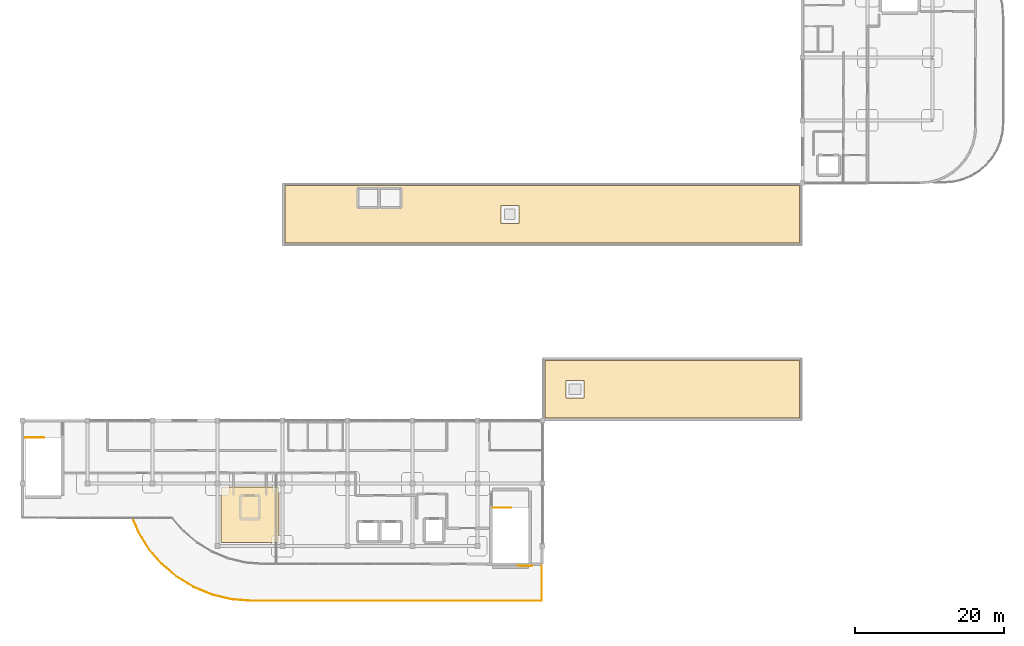
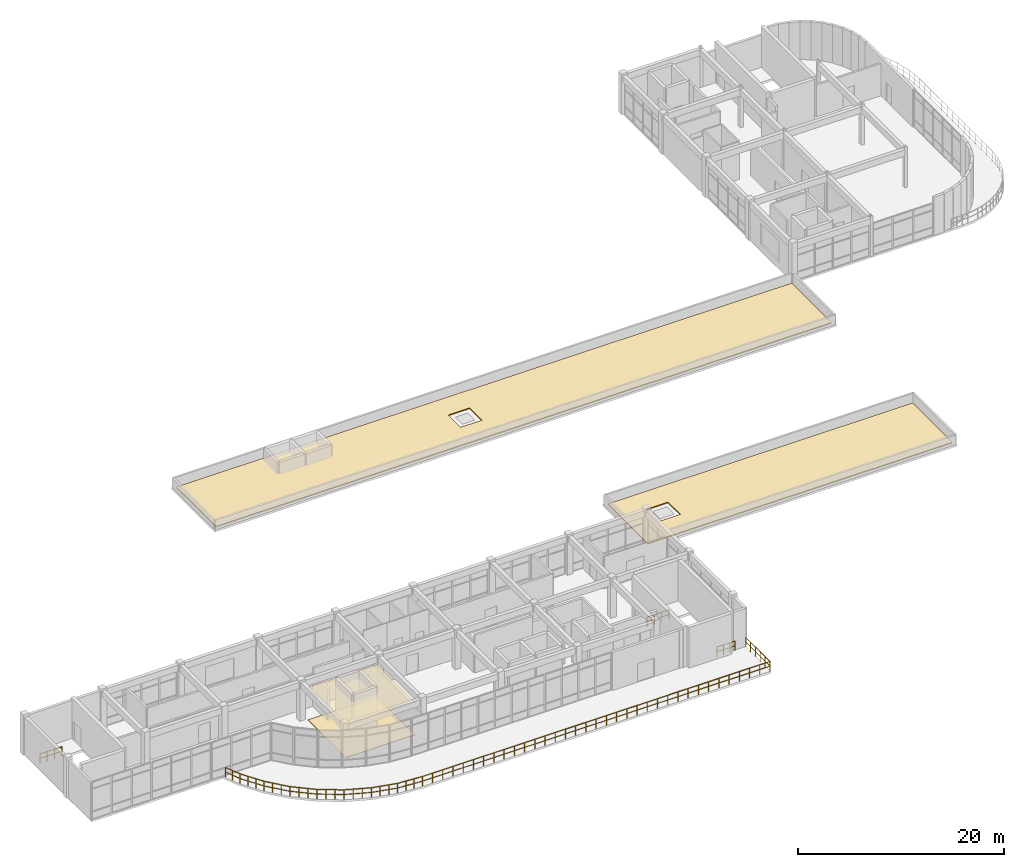
# One storey, part 40 of 41: 5 railings, 4 coverings.
"""IFC4 building model written with IfcOpenShell, lengths in metres."""

from ifc_helpers import new_model, si_unit, derived_unit, direction, frame, origin, origin_2d, place, context, subcontext, project, spatial, polyline, circle, outline, extrude, material, layer, layer_set, type_object, element, save


model = new_model("IFC4")

# Units and contexts
model_context = context("Model", 3, precision=1e-05, world=origin(), true_north=direction((0.0, 1.0)))
body_context = subcontext(model_context, "Body", "Model", "MODEL_VIEW")
ifc_project = project(units=[si_unit("LENGTHUNIT", "METRE"), si_unit("AREAUNIT", "SQUARE_METRE"), si_unit("VOLUMEUNIT", "CUBIC_METRE"), si_unit("PLANEANGLEUNIT", "RADIAN"), si_unit("MASSUNIT", "GRAM", prefix="KILO"), derived_unit("THERMALTRANSMITTANCEUNIT", [(si_unit("MASSUNIT", "GRAM", prefix="KILO"), 1), (si_unit("TIMEUNIT", "SECOND"), -3), (si_unit("THERMODYNAMICTEMPERATUREUNIT", "KELVIN"), -1)])], contexts=[model_context])

# Site, building, storey
site_placement = place(None, origin())
site = spatial("IfcSite", under=ifc_project, at=site_placement, CompositionType="ELEMENT")
building_placement = place(site_placement, origin())
building = spatial("IfcBuilding", under=site, at=building_placement, Name="Qinzheling Arcade Emporium", CompositionType="ELEMENT")
storey_placement = place(building_placement, frame((0.0, 0.0, 36.300048828125)))
storey = spatial("IfcBuildingStorey", under=building, at=storey_placement, Name="L08", CompositionType="ELEMENT", Elevation=36.300048828125)

# Railings
ifc_material_1 = material(Name="Architectural bronze rail and laminated safety glass", Category="glass")
railing_type_1 = type_object("IfcRailingType", Name="Curved Terrace Laminated Glass and Bronze Balustrade 1150", PredefinedType="BALUSTRADE", material=ifc_material_1)
railing_1_placement = place(storey_placement, frame((69.52001953125, 17.8798828125, 0.0)))
element("IfcRailing", 1, at=railing_1_placement, inside=storey, type_object=railing_type_1, Name="Terrace Balustrade RLG-TER-L08-020", PredefinedType="BALUSTRADE", context=body_context, shape_type="SweptSolid", body=[
    extrude(circle(Radius=0.02392578125, at=origin_2d()), frame((0.0, 0.0, 1.1259765625), z_axis=(-1.0, 0.0, 0.0), x_axis=(0.0, -1.0, 0.0)), (0.0, 0.0, 1.0), 38.9169921875),
    extrude(circle(Radius=0.01611328125, at=origin_2d()), frame((0.0, 0.0, 0.574951171875), z_axis=(-1.0, 0.0, 0.0), x_axis=(0.0, -1.0, 0.0)), (0.0, 0.0, 1.0), 38.9169921875),
    extrude(circle(Radius=0.02392578125, at=origin_2d()), frame((-38.9169921875, 0.0, 1.1259765625), z_axis=(-0.99693107057, 0.078284356878, 0.0), x_axis=(-0.078284356878, -0.99693107057, 0.0)), (0.0, 0.0, 1.0), 2.656982421875),
    extrude(circle(Radius=0.01611328125, at=origin_2d()), frame((-38.9169921875, 0.0, 0.574951171875), z_axis=(-0.99693107057, 0.078284356878, 0.0), x_axis=(-0.078284356878, -0.99693107057, 0.0)), (0.0, 0.0, 1.0), 2.656982421875),
    extrude(circle(Radius=0.02392578125, at=origin_2d()), frame((-41.56591796875, 0.2080078125, 1.1259765625), z_axis=(-0.97235056984, 0.233525950018, 0.0), x_axis=(-0.233525950018, -0.97235056984, 0.0)), (0.0, 0.0, 1.0), 2.655517578125),
    extrude(circle(Radius=0.01611328125, at=origin_2d()), frame((-41.56591796875, 0.2080078125, 0.574951171875), z_axis=(-0.97235056984, 0.233525950018, 0.0), x_axis=(-0.233525950018, -0.97235056984, 0.0)), (0.0, 0.0, 1.0), 2.655517578125),
    extrude(circle(Radius=0.02392578125, at=origin_2d()), frame((-44.14794921875, 0.828125, 1.1259765625), z_axis=(-0.923933946858, 0.382552038084, 0.0), x_axis=(-0.382552038084, -0.923933946858, 0.0)), (0.0, 0.0, 1.0), 2.65625),
    extrude(circle(Radius=0.01611328125, at=origin_2d()), frame((-44.14794921875, 0.828125, 0.574951171875), z_axis=(-0.923933946858, 0.382552038084, 0.0), x_axis=(-0.382552038084, -0.923933946858, 0.0)), (0.0, 0.0, 1.0), 2.65625),
    extrude(circle(Radius=0.02392578125, at=origin_2d()), frame((-46.60205078125, 1.84423828125, 1.1259765625), z_axis=(-0.852437312571, 0.522829444596, 0.0), x_axis=(-0.522829444596, -0.852437312571, 0.0)), (0.0, 0.0, 1.0), 2.65478515625),
    extrude(circle(Radius=0.01611328125, at=origin_2d()), frame((-46.60205078125, 1.84423828125, 0.574951171875), z_axis=(-0.852437312571, 0.522829444596, 0.0), x_axis=(-0.522829444596, -0.852437312571, 0.0)), (0.0, 0.0, 1.0), 2.65478515625),
    extrude(circle(Radius=0.02392578125, at=origin_2d()), frame((-48.864990234375, 3.232177734375, 1.1259765625), z_axis=(-0.760508013314, 0.649328546797, 0.0), x_axis=(-0.649328546797, -0.760508013314, 0.0)), (0.0, 0.0, 1.0), 2.65478515625),
    extrude(circle(Radius=0.01611328125, at=origin_2d()), frame((-48.864990234375, 3.232177734375, 0.574951171875), z_axis=(-0.760508013314, 0.649328546797, 0.0), x_axis=(-0.649328546797, -0.760508013314, 0.0)), (0.0, 0.0, 1.0), 2.65478515625),
    extrude(circle(Radius=0.02392578125, at=origin_2d()), frame((-50.884033203125, 4.9560546875, 1.1259765625), z_axis=(-0.649328546797, 0.760508013314, 0.0), x_axis=(-0.760508013314, -0.649328546797, 0.0)), (0.0, 0.0, 1.0), 2.65478515625),
    extrude(circle(Radius=0.01611328125, at=origin_2d()), frame((-50.884033203125, 4.9560546875, 0.574951171875), z_axis=(-0.649328546797, 0.760508013314, 0.0), x_axis=(-0.760508013314, -0.649328546797, 0.0)), (0.0, 0.0, 1.0), 2.65478515625),
    extrude(circle(Radius=0.02392578125, at=origin_2d()), frame((-52.60791015625, 6.97509765625, 1.1259765625), z_axis=(-0.522628919058, 0.852560269403, 0.0), x_axis=(-0.852560269403, -0.522628919058, 0.0)), (0.0, 0.0, 1.0), 2.654296875),
    extrude(circle(Radius=0.01611328125, at=origin_2d()), frame((-52.60791015625, 6.97509765625, 0.574951171875), z_axis=(-0.522628919058, 0.852560269403, 0.0), x_axis=(-0.852560269403, -0.522628919058, 0.0)), (0.0, 0.0, 1.0), 2.654296875),
    extrude(circle(Radius=0.02392578125, at=origin_2d()), frame((-53.9951171875, 9.238037109375, 1.1259765625), z_axis=(-0.382565210158, 0.923928492891, 0.0), x_axis=(-0.923928492891, -0.382565210158, 0.0)), (0.0, 0.0, 1.0), 1.784912109375),
    extrude(circle(Radius=0.01611328125, at=origin_2d()), frame((-53.9951171875, 9.238037109375, 0.574951171875), z_axis=(-0.382565210158, 0.923928492891, 0.0), x_axis=(-0.923928492891, -0.382565210158, 0.0)), (0.0, 0.0, 1.0), 1.784912109375),
    extrude(circle(Radius=0.02099609375, at=origin_2d()), origin(), (0.0, 0.0, 1.0), 1.101806640625),
    extrude(circle(Radius=0.02099609375, at=origin_2d()), frame((-1.14453125, 0.0, 0.0)), (0.0, 0.0, 1.0), 1.101806640625),
    extrude(circle(Radius=0.02099609375, at=origin_2d()), frame((-2.289306640625, 0.0, 0.0)), (0.0, 0.0, 1.0), 1.101806640625),
    extrude(circle(Radius=0.02099609375, at=origin_2d()), frame((-3.433837890625, 0.0, 0.0)), (0.0, 0.0, 1.0), 1.101806640625),
    extrude(circle(Radius=0.02099609375, at=origin_2d()), frame((-4.578369140625, 0.0, 0.0)), (0.0, 0.0, 1.0), 1.101806640625),
    extrude(circle(Radius=0.02099609375, at=origin_2d()), frame((-5.72314453125, 0.0, 0.0)), (0.0, 0.0, 1.0), 1.101806640625),
    extrude(circle(Radius=0.02099609375, at=origin_2d()), frame((-6.86767578125, 0.0, 0.0)), (0.0, 0.0, 1.0), 1.101806640625),
    extrude(circle(Radius=0.02099609375, at=origin_2d()), frame((-8.01220703125, 0.0, 0.0)), (0.0, 0.0, 1.0), 1.101806640625),
    extrude(circle(Radius=0.02099609375, at=origin_2d()), frame((-9.156982421875, 0.0, 0.0)), (0.0, 0.0, 1.0), 1.101806640625),
    extrude(circle(Radius=0.02099609375, at=origin_2d()), frame((-10.301513671875, 0.0, 0.0)), (0.0, 0.0, 1.0), 1.101806640625),
    extrude(circle(Radius=0.02099609375, at=origin_2d()), frame((-11.4462890625, 0.0, 0.0)), (0.0, 0.0, 1.0), 1.101806640625),
    extrude(circle(Radius=0.02099609375, at=origin_2d()), frame((-12.5908203125, 0.0, 0.0)), (0.0, 0.0, 1.0), 1.101806640625),
    extrude(circle(Radius=0.02099609375, at=origin_2d()), frame((-13.7353515625, 0.0, 0.0)), (0.0, 0.0, 1.0), 1.101806640625),
    extrude(circle(Radius=0.02099609375, at=origin_2d()), frame((-14.880126953125, 0.0, 0.0)), (0.0, 0.0, 1.0), 1.101806640625),
    extrude(circle(Radius=0.02099609375, at=origin_2d()), frame((-16.024658203125, 0.0, 0.0)), (0.0, 0.0, 1.0), 1.101806640625),
    extrude(circle(Radius=0.02099609375, at=origin_2d()), frame((-17.169189453125, 0.0, 0.0)), (0.0, 0.0, 1.0), 1.101806640625),
    extrude(circle(Radius=0.02099609375, at=origin_2d()), frame((-18.31396484375, 0.0, 0.0)), (0.0, 0.0, 1.0), 1.101806640625),
    extrude(circle(Radius=0.02099609375, at=origin_2d()), frame((-19.45849609375, 0.0, 0.0)), (0.0, 0.0, 1.0), 1.101806640625),
    extrude(circle(Radius=0.02099609375, at=origin_2d()), frame((-20.60302734375, 0.0, 0.0)), (0.0, 0.0, 1.0), 1.101806640625),
    extrude(circle(Radius=0.02099609375, at=origin_2d()), frame((-21.747802734375, 0.0, 0.0)), (0.0, 0.0, 1.0), 1.101806640625),
    extrude(circle(Radius=0.02099609375, at=origin_2d()), frame((-22.892333984375, 0.0, 0.0)), (0.0, 0.0, 1.0), 1.101806640625),
    extrude(circle(Radius=0.02099609375, at=origin_2d()), frame((-24.036865234375, 0.0, 0.0)), (0.0, 0.0, 1.0), 1.101806640625),
    extrude(circle(Radius=0.02099609375, at=origin_2d()), frame((-25.181640625, 0.0, 0.0)), (0.0, 0.0, 1.0), 1.101806640625),
    extrude(circle(Radius=0.02099609375, at=origin_2d()), frame((-26.326171875, 0.0, 0.0)), (0.0, 0.0, 1.0), 1.101806640625),
    extrude(circle(Radius=0.02099609375, at=origin_2d()), frame((-27.470703125, 0.0, 0.0)), (0.0, 0.0, 1.0), 1.101806640625),
    extrude(circle(Radius=0.02099609375, at=origin_2d()), frame((-28.615478515625, 0.0, 0.0)), (0.0, 0.0, 1.0), 1.101806640625),
    extrude(circle(Radius=0.02099609375, at=origin_2d()), frame((-29.760009765625, 0.0, 0.0)), (0.0, 0.0, 1.0), 1.101806640625),
    extrude(circle(Radius=0.02099609375, at=origin_2d()), frame((-30.90478515625, 0.0, 0.0)), (0.0, 0.0, 1.0), 1.101806640625),
    extrude(circle(Radius=0.02099609375, at=origin_2d()), frame((-32.04931640625, 0.0, 0.0)), (0.0, 0.0, 1.0), 1.101806640625),
    extrude(circle(Radius=0.02099609375, at=origin_2d()), frame((-33.19384765625, 0.0, 0.0)), (0.0, 0.0, 1.0), 1.101806640625),
    extrude(circle(Radius=0.02099609375, at=origin_2d()), frame((-34.338623046875, 0.0, 0.0)), (0.0, 0.0, 1.0), 1.101806640625),
    extrude(circle(Radius=0.02099609375, at=origin_2d()), frame((-35.483154296875, 0.0, 0.0)), (0.0, 0.0, 1.0), 1.101806640625),
    extrude(circle(Radius=0.02099609375, at=origin_2d()), frame((-36.627685546875, 0.0, 0.0)), (0.0, 0.0, 1.0), 1.101806640625),
    extrude(circle(Radius=0.02099609375, at=origin_2d()), frame((-37.7724609375, 0.0, 0.0)), (0.0, 0.0, 1.0), 1.101806640625),
    extrude(circle(Radius=0.02099609375, at=origin_2d()), frame((-38.9169921875, 0.0, 0.0)), (0.0, 0.0, 1.0), 1.101806640625),
    extrude(circle(Radius=0.02099609375, at=origin_2d()), frame((-39.800048828125, 0.0693359375, 0.0)), (0.0, 0.0, 1.0), 1.101806640625),
    extrude(circle(Radius=0.02099609375, at=origin_2d()), frame((-40.682861328125, 0.138671875, 0.0)), (0.0, 0.0, 1.0), 1.101806640625),
    extrude(circle(Radius=0.02099609375, at=origin_2d()), frame((-41.56591796875, 0.2080078125, 0.0)), (0.0, 0.0, 1.0), 1.101806640625),
    extrude(circle(Radius=0.02099609375, at=origin_2d()), frame((-42.426513671875, 0.414794921875, 0.0)), (0.0, 0.0, 1.0), 1.101806640625),
    extrude(circle(Radius=0.02099609375, at=origin_2d()), frame((-43.287353515625, 0.621337890625, 0.0)), (0.0, 0.0, 1.0), 1.101806640625),
    extrude(circle(Radius=0.02099609375, at=origin_2d()), frame((-44.14794921875, 0.828125, 0.0)), (0.0, 0.0, 1.0), 1.101806640625),
    extrude(circle(Radius=0.02099609375, at=origin_2d()), frame((-44.966064453125, 1.166748046875, 0.0)), (0.0, 0.0, 1.0), 1.101806640625),
    extrude(circle(Radius=0.02099609375, at=origin_2d()), frame((-45.783935546875, 1.505615234375, 0.0)), (0.0, 0.0, 1.0), 1.101806640625),
    extrude(circle(Radius=0.02099609375, at=origin_2d()), frame((-46.60205078125, 1.84423828125, 0.0)), (0.0, 0.0, 1.0), 1.101806640625),
    extrude(circle(Radius=0.02099609375, at=origin_2d()), frame((-47.3564453125, 2.306884765625, 0.0)), (0.0, 0.0, 1.0), 1.101806640625),
    extrude(circle(Radius=0.02099609375, at=origin_2d()), frame((-48.110595703125, 2.76953125, 0.0)), (0.0, 0.0, 1.0), 1.101806640625),
    extrude(circle(Radius=0.02099609375, at=origin_2d()), frame((-48.864990234375, 3.232177734375, 0.0)), (0.0, 0.0, 1.0), 1.101806640625),
    extrude(circle(Radius=0.02099609375, at=origin_2d()), frame((-49.5380859375, 3.806884765625, 0.0)), (0.0, 0.0, 1.0), 1.101806640625),
    extrude(circle(Radius=0.02099609375, at=origin_2d()), frame((-50.2109375, 4.38134765625, 0.0)), (0.0, 0.0, 1.0), 1.101806640625),
    extrude(circle(Radius=0.02099609375, at=origin_2d()), frame((-50.884033203125, 4.9560546875, 0.0)), (0.0, 0.0, 1.0), 1.101806640625),
    extrude(circle(Radius=0.02099609375, at=origin_2d()), frame((-51.458740234375, 5.629150390625, 0.0)), (0.0, 0.0, 1.0), 1.101806640625),
    extrude(circle(Radius=0.02099609375, at=origin_2d()), frame((-52.033203125, 6.302001953125, 0.0)), (0.0, 0.0, 1.0), 1.101806640625),
    extrude(circle(Radius=0.02099609375, at=origin_2d()), frame((-52.60791015625, 6.97509765625, 0.0)), (0.0, 0.0, 1.0), 1.101806640625),
    extrude(circle(Radius=0.02099609375, at=origin_2d()), frame((-53.0703125, 7.7294921875, 0.0)), (0.0, 0.0, 1.0), 1.101806640625),
    extrude(circle(Radius=0.02099609375, at=origin_2d()), frame((-53.53271484375, 8.483642578125, 0.0)), (0.0, 0.0, 1.0), 1.101806640625),
    extrude(circle(Radius=0.02099609375, at=origin_2d()), frame((-53.9951171875, 9.238037109375, 0.0)), (0.0, 0.0, 1.0), 1.101806640625),
    extrude(circle(Radius=0.02099609375, at=origin_2d()), frame((-54.33642578125, 10.0625, 0.0)), (0.0, 0.0, 1.0), 1.101806640625),
    extrude(circle(Radius=0.02099609375, at=origin_2d()), frame((-54.677978515625, 10.88720703125, 0.0)), (0.0, 0.0, 1.0), 1.101806640625),
])
railing_2_placement = place(storey_placement, frame((66.301025390625, 22.580078125, 0.0)))
element("IfcRailing", 2, at=railing_2_placement, inside=storey, type_object=railing_type_1, Name="Terrace Balustrade RLG-TER-L08-021", PredefinedType="BALUSTRADE", context=body_context, shape_type="SweptSolid", body=[
    extrude(circle(Radius=0.02392578125, at=origin_2d()), frame((0.0, 0.0, 1.1259765625), z_axis=(0.99913365938, -0.04161647142, 0.0), x_axis=(0.04161647142, 0.99913365938, 0.0)), (0.0, 0.0, 1.0), 1.443115234375),
    extrude(circle(Radius=0.01611328125, at=origin_2d()), frame((0.0, 0.0, 0.574951171875), z_axis=(0.99913365938, -0.04161647142, 0.0), x_axis=(0.04161647142, 0.99913365938, 0.0)), (0.0, 0.0, 1.0), 1.443115234375),
    extrude(circle(Radius=0.02392578125, at=origin_2d()), frame((1.44189453125, -0.06005859375, 1.1259765625), z_axis=(0.994279549558, 0.106809069516, 0.0), x_axis=(-0.106809069516, 0.994279549558, 0.0)), (0.0, 0.0, 1.0), 0.562255859375),
    extrude(circle(Radius=0.01611328125, at=origin_2d()), frame((1.44189453125, -0.06005859375, 0.574951171875), z_axis=(0.994279549558, 0.106809069516, 0.0), x_axis=(-0.106809069516, 0.994279549558, 0.0)), (0.0, 0.0, 1.0), 0.562255859375),
    extrude(circle(Radius=0.02099609375, at=origin_2d()), origin(), (0.0, 0.0, 1.0), 1.101806640625),
    extrude(circle(Radius=0.02099609375, at=origin_2d()), frame((0.720947265625, -0.030029296875, 0.0)), (0.0, 0.0, 1.0), 1.101806640625),
    extrude(circle(Radius=0.02099609375, at=origin_2d()), frame((1.44189453125, -0.06005859375, 0.0)), (0.0, 0.0, 1.0), 1.101806640625),
    extrude(circle(Radius=0.02099609375, at=origin_2d()), frame((2.0009765625, 0.0, 0.0)), (0.0, 0.0, 1.0), 1.101806640625),
])
railing_3_placement = place(storey_placement, frame((69.52001953125, 22.580078125, 0.0)))
element("IfcRailing", 3, at=railing_3_placement, inside=storey, type_object=railing_type_1, Name="Terrace Balustrade RLG-TER-L08-022", PredefinedType="BALUSTRADE", context=body_context, shape_type="SweptSolid", body=[
    extrude(circle(Radius=0.02392578125, at=origin_2d()), frame((0.0, 0.0, 1.1259765625), z_axis=(0.0, -1.0, 0.0), x_axis=(1.0, 0.0, 0.0)), (0.0, 0.0, 1.0), 4.7001953125),
    extrude(circle(Radius=0.01611328125, at=origin_2d()), frame((0.0, 0.0, 0.574951171875), z_axis=(0.0, -1.0, 0.0), x_axis=(1.0, 0.0, 0.0)), (0.0, 0.0, 1.0), 4.7001953125),
    extrude(circle(Radius=0.02099609375, at=origin_2d()), origin(), (0.0, 0.0, 1.0), 1.101806640625),
    extrude(circle(Radius=0.02099609375, at=origin_2d()), frame((0.0, -0.93994140625, 0.0)), (0.0, 0.0, 1.0), 1.101806640625),
    extrude(circle(Radius=0.02099609375, at=origin_2d()), frame((0.0, -1.880126953125, 0.0)), (0.0, 0.0, 1.0), 1.101806640625),
    extrude(circle(Radius=0.02099609375, at=origin_2d()), frame((0.0, -2.820068359375, 0.0)), (0.0, 0.0, 1.0), 1.101806640625),
    extrude(circle(Radius=0.02099609375, at=origin_2d()), frame((0.0, -3.76025390625, 0.0)), (0.0, 0.0, 1.0), 1.101806640625),
    extrude(circle(Radius=0.02099609375, at=origin_2d()), frame((0.0, -4.7001953125, 0.0)), (0.0, 0.0, 1.0), 1.101806640625),
])
ifc_material_2 = material(Name="Galvanised powder-coated tubular steel", Category="steel")
railing_type_2 = type_object("IfcRailingType", Name="Painted Steel Stairwell Guard Railing 1150", PredefinedType="GUARDRAIL", material=ifc_material_2)
railing_4_placement = place(storey_placement, frame((62.949951171875, 30.330078125, 0.0)))
element("IfcRailing", 4, at=railing_4_placement, inside=storey, type_object=railing_type_2, Name="L08 ST01 top well guard 1", PredefinedType="GUARDRAIL", context=body_context, shape_type="SweptSolid", body=[
    extrude(circle(Radius=0.02392578125, at=origin_2d()), frame((0.0, 0.0, 1.1259765625), z_axis=(1.0, 0.0, 0.0), x_axis=(0.0, 1.0, 0.0)), (0.0, 0.0, 1.0), 2.469970703125),
    extrude(circle(Radius=0.01611328125, at=origin_2d()), frame((0.0, 0.0, 0.574951171875), z_axis=(1.0, 0.0, 0.0), x_axis=(0.0, 1.0, 0.0)), (0.0, 0.0, 1.0), 2.469970703125),
    extrude(circle(Radius=0.02099609375, at=origin_2d()), origin(), (0.0, 0.0, 1.0), 1.101806640625),
    extrude(circle(Radius=0.02099609375, at=origin_2d()), frame((0.8232421875, 0.0, 0.0)), (0.0, 0.0, 1.0), 1.101806640625),
    extrude(circle(Radius=0.02099609375, at=origin_2d()), frame((1.646728515625, 0.0, 0.0)), (0.0, 0.0, 1.0), 1.101806640625),
    extrude(circle(Radius=0.02099609375, at=origin_2d()), frame((2.469970703125, 0.0, 0.0)), (0.0, 0.0, 1.0), 1.101806640625),
])
railing_5_placement = place(storey_placement, frame((0.39990234375, 39.72998046875, 0.0)))
element("IfcRailing", 5, at=railing_5_placement, inside=storey, type_object=railing_type_2, Name="L08 ST02 top well guard 1", PredefinedType="GUARDRAIL", context=body_context, shape_type="SweptSolid", body=[
    extrude(circle(Radius=0.02392578125, at=origin_2d()), frame((0.0, 0.0, 1.1259765625), z_axis=(1.0, 0.0, 0.0), x_axis=(0.0, 1.0, 0.0)), (0.0, 0.0, 1.0), 2.47021484375),
    extrude(circle(Radius=0.01611328125, at=origin_2d()), frame((0.0, 0.0, 0.574951171875), z_axis=(1.0, 0.0, 0.0), x_axis=(0.0, 1.0, 0.0)), (0.0, 0.0, 1.0), 2.47021484375),
    extrude(circle(Radius=0.02099609375, at=origin_2d()), origin(), (0.0, 0.0, 1.0), 1.101806640625),
    extrude(circle(Radius=0.02099609375, at=origin_2d()), frame((0.823486328125, 0.0, 0.0)), (0.0, 0.0, 1.0), 1.101806640625),
    extrude(circle(Radius=0.02099609375, at=origin_2d()), frame((1.646728515625, 0.0, 0.0)), (0.0, 0.0, 1.0), 1.101806640625),
    extrude(circle(Radius=0.02099609375, at=origin_2d()), frame((2.47021484375, 0.0, 0.0)), (0.0, 0.0, 1.0), 1.101806640625),
])

# Coverings
ifc_material_3 = material(Name="Mineral-fibre acoustic ceiling board")
ifc_layer_1 = layer(ifc_material_3, 0.02490234375, Name="Mineral-fibre acoustic ceiling board")
ifc_layer_set_1 = layer_set([ifc_layer_1], Name="Mineral-fibre acoustic ceiling board")
covering_type_1 = type_object("IfcCoveringType", Name="Perforated Mineral Acoustic Ceiling 25", PredefinedType="CEILING", material=ifc_layer_set_1)
covering_1_placement = place(storey_placement, frame((0.0, 0.0, 3.849853515625)))
element("IfcCovering", 6, at=covering_1_placement, inside=storey, type_object=covering_type_1, Name="Acoustic Ceiling L08", PredefinedType="CEILING", context=body_context, shape_type="SweptSolid", body=[
    extrude(outline(polyline([(26.580078125, 25.699951171875), (34.320068359375, 25.699951171875), (34.320068359375, 33.10009765625), (26.580078125, 33.10009765625), (26.580078125, 25.699951171875)])), origin(), (0.0, 0.0, 1.0), 0.025146484375),
])
ifc_material_4 = material(Name="Polished terrazzo stone finish", Category="masonry")
ifc_layer_2 = layer(ifc_material_4, 0.034912109375, Name="Polished terrazzo stone finish", Category="masonry")
ifc_layer_set_2 = layer_set([ifc_layer_2], Name="Polished terrazzo stone finish")
covering_type_2 = type_object("IfcCoveringType", Name="Polished Terrazzo Retail Flooring 35", PredefinedType="FLOORING", material=ifc_layer_set_2)
covering_2_placement = place(storey_placement, origin())
element("IfcCovering", 7, at=covering_2_placement, inside=storey, type_object=covering_type_2, Name="Terrazzo Flooring L08", PredefinedType="FLOORING", context=body_context, shape_type="SweptSolid", body=[
    extrude(outline(polyline([(26.580078125, 25.699951171875), (34.320068359375, 25.699951171875), (34.320068359375, 33.10009765625), (26.580078125, 33.10009765625), (26.580078125, 25.699951171875)])), origin(), (0.0, 0.0, 1.0), 0.034912109375),
])
ifc_material_5 = material(Name="TPO waterproof membrane over rigid polyisocyanurate insulation")
ifc_layer_3 = layer(ifc_material_5, 0.1201171875, Name="TPO waterproof membrane over rigid polyisocyanurate insulation")
ifc_layer_set_3 = layer_set([ifc_layer_3], Name="TPO waterproof membrane over rigid polyisocyanurate insulation")
covering_type_3 = type_object("IfcCoveringType", Name="TPO Waterproof Insulated Roof Membrane 120", PredefinedType="ROOFING", material=ifc_layer_set_3)
covering_3_placement = place(storey_placement, origin())
element("IfcCovering", 8, at=covering_3_placement, inside=storey, type_object=covering_type_3, Name="Roof Membrane L08 6", PredefinedType="ROOFING", context=body_context, shape_type="SweptSolid", body=[
    extrude(outline(polyline([(69.949951171875, 42.35009765625), (69.949951171875, 50.050048828125), (104.050048828125, 50.050048828125), (104.050048828125, 42.35009765625), (69.949951171875, 42.35009765625)]), holes=[polyline([(75.14990234375, 47.39990234375), (72.75, 47.39990234375), (72.75, 45.0), (75.14990234375, 45.0), (75.14990234375, 47.39990234375)])]), origin(), (0.0, 0.0, 1.0), 0.119873046875),
])
covering_4_placement = place(storey_placement, origin())
element("IfcCovering", 9, at=covering_4_placement, inside=storey, type_object=covering_type_3, Name="Roof Membrane L08 7", PredefinedType="ROOFING", context=body_context, shape_type="SweptSolid", body=[
    extrude(outline(polyline([(35.14990234375, 65.75), (35.14990234375, 73.449951171875), (104.050048828125, 73.449951171875), (104.050048828125, 65.75), (35.14990234375, 65.75)]), holes=[polyline([(66.449951171875, 70.800048828125), (64.050048828125, 70.800048828125), (64.050048828125, 68.39990234375), (66.449951171875, 68.39990234375), (66.449951171875, 70.800048828125)])]), origin(), (0.0, 0.0, 1.0), 0.119873046875),
])

save(model, "model.ifc")
